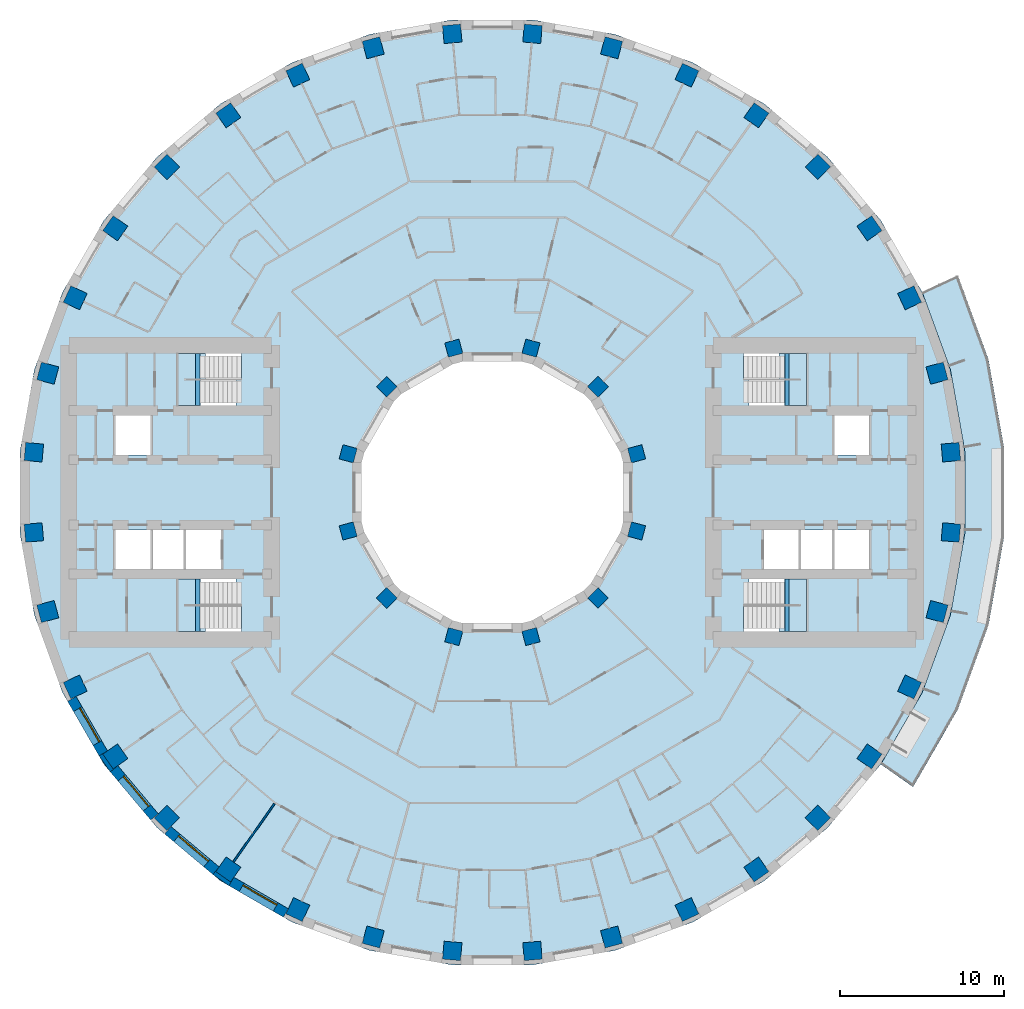
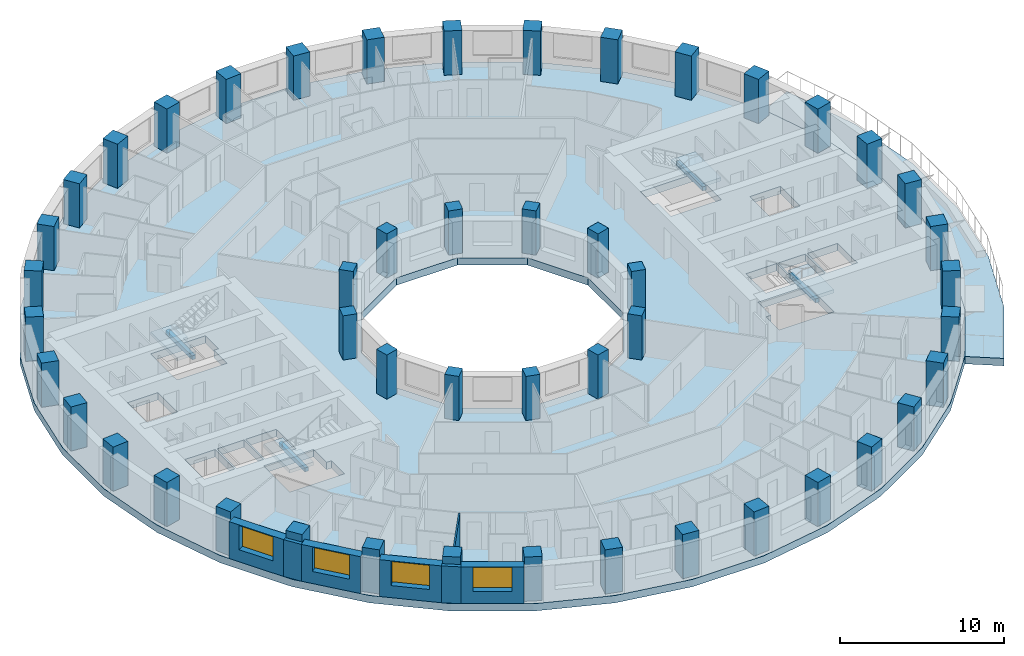
# One storey, part 1 of 14: 48 columns, 7 walls, 6 slabs, 4 beams, 4 windows, 4 openings, 4 elements without a shape of their own.
"""IFC4 building model written with IfcOpenShell, lengths in metres."""

from ifc_helpers import new_model, si_unit, direction, frame, frame_2d, origin, origin_2d, place, context, subcontext, project, spatial, polyline, rectangle, outline, extrude, material, layer, layer_set, material_profile, profile_set, type_object, element, fill, aggregate, save


model = new_model("IFC4")

# Units and contexts
model_context = context("Model", 3, precision=1e-05, world=origin(), true_north=direction((0.0, 1.0)))
body_context = subcontext(model_context, "Body", "Model", "MODEL_VIEW")
ifc_project = project(units=[si_unit("LENGTHUNIT", "METRE"), si_unit("AREAUNIT", "SQUARE_METRE"), si_unit("VOLUMEUNIT", "CUBIC_METRE"), si_unit("PLANEANGLEUNIT", "RADIAN"), si_unit("MASSUNIT", "GRAM", prefix="KILO")], contexts=[model_context])

# Site, building, storey
site_placement = place(None, origin())
site = spatial("IfcSite", under=ifc_project, at=site_placement, CompositionType="ELEMENT")
building_placement = place(site_placement, origin())
building = spatial("IfcBuilding", under=site, at=building_placement, Name="Saqina Gate Tower", CompositionType="ELEMENT")
storey_placement = place(building_placement, frame((0.0, 0.0, 46.10009765625)))
storey = spatial("IfcBuildingStorey", under=building, at=storey_placement, Name="L12", CompositionType="ELEMENT", Elevation=46.10009765625)

# Columns
ifc_material_1 = material(Name="Concrete C70/85", Category="concrete")
ifc_material_profile_1 = material_profile(ifc_material_1, rectangle(XDim=0.89990234375, YDim=0.89990234375, at=origin_2d()), Name="RC 900x900")
ifc_profile_set_1 = profile_set([ifc_material_profile_1], Name="Concrete C70/85")
column_type_1 = type_object("IfcColumnType", Name="STR-COL-IN-A", PredefinedType="COLUMN", material=ifc_profile_set_1)
for number, where, z_axis, x_axis, name in (
    (1, (8.821044921875, 2.363525390625, 0.0), (0.0, 0.0, 1.0), (0.965925826289, 0.258819045103, 0.0), "L12-ICL01"),
    (2, (6.45751953125, 6.45751953125, 0.0), (0.0, 0.0, 1.0), (0.707106781187, 0.707106781187, 0.0), "L12-ICL02"),
    (3, (2.363525390625, 8.821044921875, 0.0), (0.0, 0.0, 1.0), (0.258819045103, 0.965925826289, 0.0), "L12-ICL03"),
    (4, (-2.363525390625, 8.821044921875, 0.0), (0.0, 0.0, 1.0), (-0.258819045103, 0.965925826289, 0.0), "L12-ICL04"),
    (5, (-6.45751953125, 6.45751953125, 0.0), (0.0, 0.0, 1.0), (-0.707106781187, 0.707106781187, 0.0), "L12-ICL05"),
    (6, (-8.821044921875, 2.363525390625, 0.0), (0.0, 0.0, 1.0), (-0.965925826289, 0.258819045103, 0.0), "L12-ICL06"),
    (7, (-8.821044921875, -2.363525390625, 0.0), (0.0, 0.0, 1.0), (-0.965925826289, -0.258819045103, 0.0), "L12-ICL07"),
    (8, (-6.45751953125, -6.45751953125, 0.0), (0.0, 0.0, 1.0), (-0.707106781187, -0.707106781187, 0.0), "L12-ICL08"),
    (9, (-2.363525390625, -8.821044921875, 0.0), (0.0, 0.0, 1.0), (-0.258819045103, -0.965925826289, 0.0), "L12-ICL09"),
    (10, (2.363525390625, -8.821044921875, 0.0), (0.0, 0.0, 1.0), (0.258819045103, -0.965925826289, 0.0), "L12-ICL10"),
    (11, (6.45751953125, -6.45751953125, 0.0), (0.0, 0.0, 1.0), (0.707106781187, -0.707106781187, 0.0), "L12-ICL11"),
    (12, (8.821044921875, -2.363525390625, 0.0), (0.0, 0.0, 1.0), (0.965925826289, -0.258819045103, 0.0), "L12-ICL12"),
):
    element("IfcColumn", number, at=place(storey_placement, frame(where, z_axis=z_axis, x_axis=x_axis)), inside=storey, type_object=column_type_1, Name=name, PredefinedType="COLUMN", context=body_context, shape_type="SweptSolid", body=[
        extrude(rectangle(XDim=0.89990234375, YDim=0.89990234375, at=origin_2d()), origin(), (0.0, 0.0, 1.0), 3.2998046875),
    ])
ifc_material_2 = material(Name="Concrete C70/85", Category="concrete")
ifc_material_profile_2 = material_profile(ifc_material_2, rectangle(XDim=1.10009765625, YDim=1.10009765625, at=origin_2d()), Name="RC 1100x1100")
ifc_profile_set_2 = profile_set([ifc_material_profile_2], Name="Concrete C70/85")
column_type_2 = type_object("IfcColumnType", Name="STR-COL-OUT-A", PredefinedType="COLUMN", material=ifc_profile_set_2)
for number, where, z_axis, x_axis, name in (
    (13, (28.04296875, 2.453369140625, 0.0), (0.0, 0.0, 1.0), (0.996194698092, 0.087155742748, 0.0), "L12-COL01"),
    (14, (27.19091796875, 7.28564453125, 0.0), (0.0, 0.0, 1.0), (0.965925826289, 0.258819045103, 0.0), "L12-COL02"),
    (15, (25.512451171875, 11.896728515625, 0.0), (0.0, 0.0, 1.0), (0.906307787037, 0.422618261741, 0.0), "L12-COL03"),
    (16, (23.05908203125, 16.146240234375, 0.0), (0.0, 0.0, 1.0), (0.819152044289, 0.573576436351, 0.0), "L12-COL04"),
    (17, (19.905029296875, 19.905029296875, 0.0), (0.0, 0.0, 1.0), (0.707106781187, 0.707106781187, 0.0), "L12-COL05"),
    (18, (16.146240234375, 23.05908203125, 0.0), (0.0, 0.0, 1.0), (0.573576436351, 0.819152044289, 0.0), "L12-COL06"),
    (19, (11.896728515625, 25.512451171875, 0.0), (0.0, 0.0, 1.0), (0.422618261741, 0.906307787037, 0.0), "L12-COL07"),
    (20, (7.28564453125, 27.19091796875, 0.0), (0.0, 0.0, 1.0), (0.258819045103, 0.965925826289, 0.0), "L12-COL08"),
    (21, (2.453369140625, 28.04296875, 0.0), (0.0, 0.0, 1.0), (0.087155742748, 0.996194698092, 0.0), "L12-COL09"),
    (22, (-2.453369140625, 28.04296875, 0.0), (0.0, 0.0, 1.0), (-0.087155742748, 0.996194698092, 0.0), "L12-COL10"),
    (23, (-7.28564453125, 27.19091796875, 0.0), (0.0, 0.0, 1.0), (-0.258819045103, 0.965925826289, 0.0), "L12-COL11"),
    (24, (-11.896728515625, 25.512451171875, 0.0), (0.0, 0.0, 1.0), (-0.422618261741, 0.906307787037, 0.0), "L12-COL12"),
    (25, (-16.146240234375, 23.05908203125, 0.0), (0.0, 0.0, 1.0), (-0.573576436351, 0.819152044289, 0.0), "L12-COL13"),
    (26, (-19.905029296875, 19.905029296875, 0.0), (0.0, 0.0, 1.0), (-0.707106781187, 0.707106781187, 0.0), "L12-COL14"),
    (27, (-23.05908203125, 16.146240234375, 0.0), (0.0, 0.0, 1.0), (-0.819152044289, 0.573576436351, 0.0), "L12-COL15"),
    (28, (-25.512451171875, 11.896728515625, 0.0), (0.0, 0.0, 1.0), (-0.906307787037, 0.422618261741, 0.0), "L12-COL16"),
    (29, (-27.19091796875, 7.28564453125, 0.0), (0.0, 0.0, 1.0), (-0.965925826289, 0.258819045103, 0.0), "L12-COL17"),
    (30, (-28.04296875, 2.453369140625, 0.0), (0.0, 0.0, 1.0), (-0.996194698092, 0.087155742748, 0.0), "L12-COL18"),
    (31, (-28.04296875, -2.453369140625, 0.0), (0.0, 0.0, 1.0), (-0.996194698092, -0.087155742748, 0.0), "L12-COL19"),
    (32, (-27.19091796875, -7.28564453125, 0.0), (0.0, 0.0, 1.0), (-0.965925826289, -0.258819045103, 0.0), "L12-COL20"),
    (33, (-25.512451171875, -11.896728515625, 0.0), (0.0, 0.0, 1.0), (-0.906307787037, -0.422618261741, 0.0), "L12-COL21"),
    (34, (-23.05908203125, -16.146240234375, 0.0), (0.0, 0.0, 1.0), (-0.819152044289, -0.573576436351, 0.0), "L12-COL22"),
    (35, (-19.905029296875, -19.905029296875, 0.0), (0.0, 0.0, 1.0), (-0.707106781187, -0.707106781187, 0.0), "L12-COL23"),
    (36, (-16.146240234375, -23.05908203125, 0.0), (0.0, 0.0, 1.0), (-0.573576436351, -0.819152044289, 0.0), "L12-COL24"),
    (37, (-11.896728515625, -25.512451171875, 0.0), (0.0, 0.0, 1.0), (-0.422618261741, -0.906307787037, 0.0), "L12-COL25"),
    (38, (-7.28564453125, -27.19091796875, 0.0), (0.0, 0.0, 1.0), (-0.258819045103, -0.965925826289, 0.0), "L12-COL26"),
    (39, (-2.453369140625, -28.04296875, 0.0), (0.0, 0.0, 1.0), (-0.087155742748, -0.996194698092, 0.0), "L12-COL27"),
    (40, (2.453369140625, -28.04296875, 0.0), (0.0, 0.0, 1.0), (0.087155742748, -0.996194698092, 0.0), "L12-COL28"),
    (41, (7.28564453125, -27.19091796875, 0.0), (0.0, 0.0, 1.0), (0.258819045103, -0.965925826289, 0.0), "L12-COL29"),
    (42, (11.896728515625, -25.512451171875, 0.0), (0.0, 0.0, 1.0), (0.422618261741, -0.906307787037, 0.0), "L12-COL30"),
    (43, (16.146240234375, -23.05908203125, 0.0), (0.0, 0.0, 1.0), (0.573576436351, -0.819152044289, 0.0), "L12-COL31"),
    (44, (19.905029296875, -19.905029296875, 0.0), (0.0, 0.0, 1.0), (0.707106781187, -0.707106781187, 0.0), "L12-COL32"),
    (45, (23.05908203125, -16.146240234375, 0.0), (0.0, 0.0, 1.0), (0.819152044289, -0.573576436351, 0.0), "L12-COL33"),
    (46, (25.512451171875, -11.896728515625, 0.0), (0.0, 0.0, 1.0), (0.906307787037, -0.422618261741, 0.0), "L12-COL34"),
    (47, (27.19091796875, -7.28564453125, 0.0), (0.0, 0.0, 1.0), (0.965925826289, -0.258819045103, 0.0), "L12-COL35"),
    (48, (28.04296875, -2.453369140625, 0.0), (0.0, 0.0, 1.0), (0.996194698092, -0.087155742748, 0.0), "L12-COL36"),
):
    element("IfcColumn", number, at=place(storey_placement, frame(where, z_axis=z_axis, x_axis=x_axis)), inside=storey, type_object=column_type_2, Name=name, PredefinedType="COLUMN", context=body_context, shape_type="SweptSolid", body=[
        extrude(rectangle(XDim=1.10009765625, YDim=1.10009765625, at=origin_2d()), origin(), (0.0, 0.0, 1.0), 3.2998046875),
    ])

# Beams
ifc_material_3 = material(Name="Concrete C40/50", Category="concrete")
ifc_material_profile_3 = material_profile(ifc_material_3, rectangle(XDim=0.25, YDim=0.300048828125, at=origin_2d()), Name="STAIR LANDING BEAM")
ifc_profile_set_3 = profile_set([ifc_material_profile_3], Name="Concrete C40/50")
beam_type = type_object("IfcBeamType", Name="STAIR LANDING BEAM", PredefinedType="BEAM", material=ifc_profile_set_3)
for number, where, z_axis, x_axis, name in (
    (49, (18.02001953125, 5.300048828125, 1.25), (0.0, 1.0, 0.0), (-1.0, 0.0, 0.0), "EXIT STAIR 1 LANDING BEAM"),
    (50, (18.02001953125, -8.5, 1.25), (0.0, 1.0, 0.0), (-1.0, 0.0, 0.0), "EXIT STAIR 2 LANDING BEAM"),
    (51, (-18.02001953125, 5.300048828125, 1.25), (0.0, 1.0, 0.0), (-1.0, 0.0, 0.0), "EXIT STAIR 3 LANDING BEAM"),
    (52, (-18.02001953125, -8.5, 1.25), (0.0, 1.0, 0.0), (-1.0, 0.0, 0.0), "EXIT STAIR 4 LANDING BEAM"),
):
    element("IfcBeam", number, at=place(storey_placement, frame(where, z_axis=z_axis, x_axis=x_axis)), inside=storey, type_object=beam_type, Name=name, PredefinedType="BEAM", context=body_context, shape_type="SweptSolid", body=[
        extrude(rectangle(XDim=0.25, YDim=0.300048828125, at=origin_2d()), origin(), (0.0, 0.0, 1.0), 3.199951171875),
    ])

# Stair, slab
ifc_material_4 = material(Name="Concrete C40/50", Category="concrete")
stair_type = type_object("IfcStairType", Name="EXIT STAIR", PredefinedType="HALF_TURN_STAIR", material=ifc_material_4)
stair_1_placement = place(storey_placement, origin())
stair_1 = element("IfcStair", 53, at=stair_1_placement, inside=storey, type_object=stair_type, Name="EXIT STAIR 1", PredefinedType="HALF_TURN_STAIR")
ifc_material_5 = material(Name="Concrete C40/50", Category="concrete")
ifc_layer_1 = layer(ifc_material_5, 0.25)
ifc_layer_set_1 = layer_set([ifc_layer_1], Name="Concrete C40/50")
slab_type_1 = type_object("IfcSlabType", Name="EXIT STAIR LANDING", PredefinedType="LANDING", material=ifc_layer_set_1)
slab_1_placement = place(storey_placement, frame((0.0, 0.0, 1.39990234375)))
slab_1 = element("IfcSlab", 54, at=slab_1_placement, type_object=slab_type_1, Name="EXIT STAIR 1 LANDING 1", PredefinedType="LANDING", context=body_context, shape_type="SweptSolid", body=[
    extrude(outline(polyline([(19.219970703125, 8.5), (19.219970703125, 5.300048828125), (17.864990234375, 5.300048828125), (17.864990234375, 6.89990234375), (17.534423828125, 6.89990234375), (17.534423828125, 8.5), (17.864990234375, 8.5), (17.8701171875, 8.5), (19.219970703125, 8.5)])), origin(), (0.0, 0.0, 1.0), 0.25),
])
aggregate(stair_1, [slab_1])

stair_2_placement = place(storey_placement, origin())
stair_2 = element("IfcStair", 55, at=stair_2_placement, inside=storey, type_object=stair_type, Name="EXIT STAIR 2", PredefinedType="HALF_TURN_STAIR")
slab_2_placement = place(storey_placement, frame((0.0, 0.0, 1.39990234375)))
slab_2 = element("IfcSlab", 56, at=slab_2_placement, type_object=slab_type_1, Name="EXIT STAIR 2 LANDING 1", PredefinedType="LANDING", context=body_context, shape_type="SweptSolid", body=[
    extrude(outline(polyline([(17.534423828125, -8.5), (17.534423828125, -6.89990234375), (17.864990234375, -6.89990234375), (17.864990234375, -5.300048828125), (19.219970703125, -5.300048828125), (19.219970703125, -8.5), (17.8701171875, -8.5), (17.864990234375, -8.5), (17.534423828125, -8.5)])), origin(), (0.0, 0.0, 1.0), 0.25),
])
aggregate(stair_2, [slab_2])

stair_3_placement = place(storey_placement, origin())
stair_3 = element("IfcStair", 57, at=stair_3_placement, inside=storey, type_object=stair_type, Name="EXIT STAIR 3", PredefinedType="HALF_TURN_STAIR")
slab_3_placement = place(storey_placement, frame((0.0, 0.0, 1.39990234375)))
slab_3 = element("IfcSlab", 58, at=slab_3_placement, type_object=slab_type_1, Name="EXIT STAIR 3 LANDING 1", PredefinedType="LANDING", context=body_context, shape_type="SweptSolid", body=[
    extrude(outline(polyline([(-17.864990234375, 5.300048828125), (-19.219970703125, 5.300048828125), (-19.219970703125, 8.5), (-17.8701171875, 8.5), (-17.864990234375, 8.5), (-17.534423828125, 8.5), (-17.534423828125, 6.89990234375), (-17.864990234375, 6.89990234375), (-17.864990234375, 5.300048828125)])), origin(), (0.0, 0.0, 1.0), 0.25),
])
aggregate(stair_3, [slab_3])

stair_4_placement = place(storey_placement, origin())
stair_4 = element("IfcStair", 59, at=stair_4_placement, inside=storey, type_object=stair_type, Name="EXIT STAIR 4", PredefinedType="HALF_TURN_STAIR")
slab_4_placement = place(storey_placement, frame((0.0, 0.0, 1.39990234375)))
slab_4 = element("IfcSlab", 60, at=slab_4_placement, type_object=slab_type_1, Name="EXIT STAIR 4 LANDING 1", PredefinedType="LANDING", context=body_context, shape_type="SweptSolid", body=[
    extrude(outline(polyline([(-17.534423828125, -6.89990234375), (-17.534423828125, -8.5), (-17.864990234375, -8.5), (-17.8701171875, -8.5), (-19.219970703125, -8.5), (-19.219970703125, -5.300048828125), (-17.864990234375, -5.300048828125), (-17.864990234375, -6.89990234375), (-17.534423828125, -6.89990234375)])), origin(), (0.0, 0.0, 1.0), 0.25),
])
aggregate(stair_4, [slab_4])

# Slabs
ifc_material_6 = material(Name="Concrete C40/50", Category="concrete")
ifc_layer_2 = layer(ifc_material_6, 0.550048828125)
ifc_layer_set_2 = layer_set([ifc_layer_2], Name="Concrete C40/50")
slab_type_2 = type_object("IfcSlabType", Name="STR-POST-TENSIONED FLAT PLATE FLOOR-550", PredefinedType="FLOOR", material=ifc_layer_set_2)
slab_5_placement = place(storey_placement, frame((0.0, 0.0, -0.550048828125)))
element("IfcSlab", 61, at=slab_5_placement, inside=storey, type_object=slab_type_2, Name="L12-SLB01", PredefinedType="FLOOR", context=body_context, shape_type="SweptSolid", body=[
    extrude(outline(polyline([(28.011962890625, -7.505859375), (28.8896484375, -2.527587890625), (28.8896484375, 2.527587890625), (28.011962890625, 7.505859375), (26.282958984375, 12.255859375), (23.75537109375, 16.6337890625), (20.506103515625, 20.506103515625), (16.6337890625, 23.75537109375), (12.255859375, 26.282958984375), (7.505859375, 28.011962890625), (2.527587890625, 28.8896484375), (-2.527587890625, 28.8896484375), (-7.505859375, 28.011962890625), (-12.255859375, 26.282958984375), (-16.6337890625, 23.75537109375), (-20.506103515625, 20.506103515625), (-23.75537109375, 16.6337890625), (-26.282958984375, 12.255859375), (-28.011962890625, 7.505859375), (-28.8896484375, 2.527587890625), (-28.8896484375, -2.527587890625), (-28.011962890625, -7.505859375), (-26.282958984375, -12.255859375), (-23.75537109375, -16.6337890625), (-20.506103515625, -20.506103515625), (-16.6337890625, -23.75537109375), (-12.255859375, -26.282958984375), (-7.505859375, -28.011962890625), (-2.527587890625, -28.8896484375), (2.527587890625, -28.8896484375), (7.505859375, -28.011962890625), (12.255859375, -26.282958984375), (16.6337890625, -23.75537109375), (20.506103515625, -20.506103515625), (23.75537109375, -16.6337890625), (26.282958984375, -12.255859375), (28.011962890625, -7.505859375)]), holes=[polyline([(2.1435546875, 8.0), (5.8564453125, 5.8564453125), (8.0, 2.1435546875), (8.0, -2.1435546875), (5.8564453125, -5.8564453125), (2.1435546875, -8.0), (-2.1435546875, -8.0), (-5.8564453125, -5.8564453125), (-8.0, -2.1435546875), (-8.0, 2.1435546875), (-5.8564453125, 5.8564453125), (-2.1435546875, 8.0), (2.1435546875, 8.0)]), polyline([(-19.219970703125, -8.5), (-19.219970703125, -6.89990234375), (-19.219970703125, -5.300048828125), (-15.685546875, -5.300048828125), (-15.685546875, -6.89990234375), (-15.35498046875, -6.89990234375), (-15.35498046875, -8.5), (-19.219970703125, -8.5)]), polyline([(-20.89990234375, -2.300048828125), (-20.89990234375, -4.699951171875), (-23.06005859375, -4.699951171875), (-23.06005859375, -2.300048828125), (-20.89990234375, -2.300048828125)]), polyline([(-18.8701171875, -2.300048828125), (-18.8701171875, -4.699951171875), (-20.780029296875, -4.699951171875), (-20.780029296875, -2.300048828125), (-18.8701171875, -2.300048828125)]), polyline([(-16.590087890625, -2.300048828125), (-16.590087890625, -4.699951171875), (-18.75, -4.699951171875), (-18.75, -2.300048828125), (-16.590087890625, -2.300048828125)]), polyline([(-20.89990234375, 4.699951171875), (-20.89990234375, 2.300048828125), (-23.06005859375, 2.300048828125), (-23.06005859375, 4.699951171875), (-20.89990234375, 4.699951171875)]), polyline([(-19.219970703125, 6.89990234375), (-19.219970703125, 8.5), (-15.35498046875, 8.5), (-15.35498046875, 6.89990234375), (-15.685546875, 6.89990234375), (-15.685546875, 5.300048828125), (-19.219970703125, 5.300048828125), (-19.219970703125, 6.89990234375)]), polyline([(15.35498046875, -6.89990234375), (15.685546875, -6.89990234375), (15.685546875, -5.300048828125), (19.219970703125, -5.300048828125), (19.219970703125, -6.89990234375), (19.219970703125, -8.5), (15.35498046875, -8.5), (15.35498046875, -6.89990234375)]), polyline([(18.75, -2.300048828125), (18.75, -4.699951171875), (16.590087890625, -4.699951171875), (16.590087890625, -2.300048828125), (18.75, -2.300048828125)]), polyline([(20.780029296875, -2.300048828125), (20.780029296875, -4.699951171875), (18.8701171875, -4.699951171875), (18.8701171875, -2.300048828125), (20.780029296875, -2.300048828125)]), polyline([(23.06005859375, -2.300048828125), (23.06005859375, -4.699951171875), (20.89990234375, -4.699951171875), (20.89990234375, -2.300048828125), (23.06005859375, -2.300048828125)]), polyline([(23.06005859375, 4.699951171875), (23.06005859375, 2.300048828125), (20.89990234375, 2.300048828125), (20.89990234375, 4.699951171875), (23.06005859375, 4.699951171875)]), polyline([(15.685546875, 6.89990234375), (15.35498046875, 6.89990234375), (15.35498046875, 8.5), (19.219970703125, 8.5), (19.219970703125, 6.89990234375), (19.219970703125, 5.300048828125), (15.685546875, 5.300048828125), (15.685546875, 6.89990234375)])]), origin(), (0.0, 0.0, 1.0), 0.550048828125),
])
ifc_material_7 = material(Name="Concrete C40/50", Category="concrete")
ifc_layer_3 = layer(ifc_material_7, 0.550048828125)
ifc_layer_set_3 = layer_set([ifc_layer_3], Name="Concrete C40/50")
slab_type_3 = type_object("IfcSlabType", Name="STR-POST-TENSIONED FLAT PLATE TERRACE-550", PredefinedType="FLOOR", material=ifc_layer_set_3)
slab_6_placement = place(storey_placement, frame((0.0, 0.0, -0.550048828125)))
element("IfcSlab", 62, at=slab_6_placement, inside=storey, type_object=slab_type_3, Name="L12-TRS01", PredefinedType="FLOOR", context=body_context, shape_type="SweptSolid", body=[
    extrude(outline(polyline([(23.75537109375, -16.6337890625), (26.282958984375, -12.255859375), (28.011962890625, -7.505859375), (28.8896484375, -2.527587890625), (28.8896484375, 2.527587890625), (28.011962890625, 7.505859375), (26.282958984375, 12.255859375), (28.46630859375, 13.274169921875), (30.3388671875, 8.12939453125), (31.28955078125, 2.737548828125), (31.28955078125, -2.737548828125), (30.3388671875, -8.12939453125), (28.46630859375, -13.274169921875), (25.72900390625, -18.015625), (23.75537109375, -16.6337890625)])), origin(), (0.0, 0.0, 1.0), 0.550048828125),
])

# Walls
ifc_material_8 = material(Name="Brick masonry (red)", Category="masonry")
wall_type_1 = type_object("IfcWallType", Name="BRICK PIER COPING RED", PredefinedType="SOLIDWALL", material=ifc_material_8)
wall_1_placement = place(storey_placement, origin())
element("IfcWall", 63, at=wall_1_placement, inside=storey, type_object=wall_type_1, Name="Pier cap L12 column 22", PredefinedType="SOLIDWALL", context=body_context, shape_type="SweptSolid", body=[
    extrude(outline(polyline([(-24.0576171875, -16.110107421875), (-23.36669921875, -17.096923828125), (-22.9072265625, -16.711181640625), (-23.194091796875, -16.912109375), (-23.8251953125, -16.010986328125), (-23.5380859375, -15.81005859375), (-24.0576171875, -16.110107421875)])), origin(), (0.0, 0.0, 1.0), 2.75),
])
wall_2_placement = place(storey_placement, origin())
element("IfcWall", 64, at=wall_2_placement, inside=storey, type_object=wall_type_1, Name="Pier cap L12 column 24", PredefinedType="SOLIDWALL", context=body_context, shape_type="SweptSolid", body=[
    extrude(outline(polyline([(-17.096923828125, -23.36669921875), (-16.110107421875, -24.0576171875), (-15.81005859375, -23.5380859375), (-16.010986328125, -23.8251953125), (-16.912109375, -23.194091796875), (-16.711181640625, -22.9072265625), (-17.096923828125, -23.36669921875)])), origin(), (0.0, 0.0, 1.0), 2.75),
])

# Wall, opening, window
ifc_material_9 = material(Name="Brick masonry (red)", Category="masonry")
ifc_layer_4 = layer(ifc_material_9, 0.60009765625)
ifc_layer_set_4 = layer_set([ifc_layer_4], Name="FW-BRICK-RED")
wall_type_2 = type_object("IfcWallType", Name="FW-BRICK-RED", PredefinedType="SOLIDWALL", material=ifc_layer_set_4)
wall_3_placement = place(storey_placement, frame((-25.720703125, -12.629638671875, 0.0), z_axis=(0.0, 0.0, 1.0), x_axis=(0.499989888488, -0.86603124159, 0.0)))
wall_3 = element("IfcWall", 65, at=wall_3_placement, inside=storey, type_object=wall_type_2, Name="Facade wall L12 facet 21", PredefinedType="SOLIDWALL", context=body_context, shape_type="SweptSolid", body=[
    extrude(rectangle(XDim=3.845703125, YDim=0.60009765625, at=frame_2d((1.9228515625, 0.0))), origin(), (0.0, 0.0, 1.0), 2.75),
])
opening_1_placement = place(wall_3_placement, frame((0.722900390625, 0.0, 0.89990234375)))
opening_1 = element("IfcOpeningElement", 66, at=opening_1_placement, cuts=wall_3, Name="Opening G03-W14", PredefinedType="OPENING", context=body_context, shape_type="SweptSolid", body=[
    extrude(rectangle(XDim=2.39990234375, YDim=1.800048828125, at=frame_2d((1.199951171875, 0.89990234375))), frame((0.0, 0.31201171875, 0.0), z_axis=(0.0, -1.0, 0.0), x_axis=(1.0, 0.0, 0.0)), (0.0, 0.0, 1.0), 0.6240234375),
])
ifc_material_10 = material(Name="Aluminium glazing", Category="aluminium")
window_type = type_object("IfcWindowType", Name="WN-A", PartitioningType="SINGLE_PANEL", PredefinedType="WINDOW", material=ifc_material_10)
window_1_placement = place(opening_1_placement, origin())
window_1 = element("IfcWindow", 67, at=window_1_placement, inside=storey, type_object=window_type, Name="Window L12 facet 21", OverallHeight=1.800048828125, OverallWidth=2.39990234375, PartitioningType="SINGLE_PANEL", PredefinedType="WINDOW", context=body_context, shape_type="SweptSolid", body=[
    extrude(rectangle(XDim=2.39990234375, YDim=1.800048828125, at=frame_2d((1.199951171875, 0.89990234375))), frame((0.0, 0.179931640625, 0.0), z_axis=(0.0, -1.0, 0.0), x_axis=(1.0, 0.0, 0.0)), (0.0, 0.0, 1.0), 0.06005859375),
])
fill(opening_1, window_1)

wall_4_placement = place(storey_placement, frame((-23.136962890625, -16.904052734375, 0.0), z_axis=(0.0, 0.0, 1.0), x_axis=(0.642809392687, -0.766026164483, 0.0)))
wall_4 = element("IfcWall", 68, at=wall_4_placement, inside=storey, type_object=wall_type_2, Name="Facade wall L12 facet 22", PredefinedType="SOLIDWALL", context=body_context, shape_type="SweptSolid", body=[
    extrude(rectangle(XDim=3.845947265625, YDim=0.60009765625, at=frame_2d((1.9228515625, 0.0))), origin(), (0.0, 0.0, 1.0), 2.75),
])
opening_2_placement = place(wall_4_placement, frame((0.722900390625, 0.0, 0.89990234375)))
opening_2 = element("IfcOpeningElement", 69, at=opening_2_placement, cuts=wall_4, Name="Opening G03-W15", PredefinedType="OPENING", context=body_context, shape_type="SweptSolid", body=[
    extrude(rectangle(XDim=2.39990234375, YDim=1.800048828125, at=frame_2d((1.199951171875, 0.89990234375))), frame((0.0, 0.31201171875, 0.0), z_axis=(0.0, -1.0, 0.0), x_axis=(1.0, 0.0, 0.0)), (0.0, 0.0, 1.0), 0.6240234375),
])
window_2_placement = place(opening_2_placement, origin())
window_2 = element("IfcWindow", 70, at=window_2_placement, inside=storey, type_object=window_type, Name="Window L12 facet 22", OverallHeight=1.800048828125, OverallWidth=2.39990234375, PartitioningType="SINGLE_PANEL", PredefinedType="WINDOW", context=body_context, shape_type="SweptSolid", body=[
    extrude(rectangle(XDim=2.39990234375, YDim=1.800048828125, at=frame_2d((1.199951171875, 0.89990234375))), frame((0.0, 0.179931640625, 0.0), z_axis=(0.0, -1.0, 0.0), x_axis=(1.0, 0.0, 0.0)), (0.0, 0.0, 1.0), 0.06005859375),
])
fill(opening_2, window_2)

wall_5_placement = place(storey_placement, frame((-19.85009765625, -20.664794921875, 0.0), z_axis=(0.0, 0.0, 1.0), x_axis=(0.766026164483, -0.642809392687, 0.0)))
wall_5 = element("IfcWall", 71, at=wall_5_placement, inside=storey, type_object=wall_type_2, Name="Facade wall L12 facet 23", PredefinedType="SOLIDWALL", context=body_context, shape_type="SweptSolid", body=[
    extrude(rectangle(XDim=3.845947265625, YDim=0.60009765625, at=frame_2d((1.9228515625, 0.0))), origin(), (0.0, 0.0, 1.0), 2.75),
])
opening_3_placement = place(wall_5_placement, frame((0.722900390625, 0.0, 0.89990234375)))
opening_3 = element("IfcOpeningElement", 72, at=opening_3_placement, cuts=wall_5, Name="Opening G03-W16", PredefinedType="OPENING", context=body_context, shape_type="SweptSolid", body=[
    extrude(rectangle(XDim=2.39990234375, YDim=1.800048828125, at=frame_2d((1.199951171875, 0.89990234375))), frame((0.0, 0.31201171875, 0.0), z_axis=(0.0, -1.0, 0.0), x_axis=(1.0, 0.0, 0.0)), (0.0, 0.0, 1.0), 0.6240234375),
])
window_3_placement = place(opening_3_placement, origin())
window_3 = element("IfcWindow", 73, at=window_3_placement, inside=storey, type_object=window_type, Name="Window L12 facet 23", OverallHeight=1.800048828125, OverallWidth=2.39990234375, PartitioningType="SINGLE_PANEL", PredefinedType="WINDOW", context=body_context, shape_type="SweptSolid", body=[
    extrude(rectangle(XDim=2.39990234375, YDim=1.800048828125, at=frame_2d((1.199951171875, 0.89990234375))), frame((0.0, 0.179931640625, 0.0), z_axis=(0.0, -1.0, 0.0), x_axis=(1.0, 0.0, 0.0)), (0.0, 0.0, 1.0), 0.06005859375),
])
fill(opening_3, window_3)

wall_6_placement = place(storey_placement, frame((-15.960205078125, -23.7978515625, 0.0), z_axis=(0.0, 0.0, 1.0), x_axis=(0.86603124159, -0.499989888488, 0.0)))
wall_6 = element("IfcWall", 74, at=wall_6_placement, inside=storey, type_object=wall_type_2, Name="Facade wall L12 facet 24", PredefinedType="SOLIDWALL", context=body_context, shape_type="SweptSolid", body=[
    extrude(rectangle(XDim=3.845703125, YDim=0.60009765625, at=frame_2d((1.9228515625, 0.0))), origin(), (0.0, 0.0, 1.0), 2.75),
])
opening_4_placement = place(wall_6_placement, frame((0.722900390625, 0.0, 0.89990234375)))
opening_4 = element("IfcOpeningElement", 75, at=opening_4_placement, cuts=wall_6, Name="Opening G03-W17", PredefinedType="OPENING", context=body_context, shape_type="SweptSolid", body=[
    extrude(rectangle(XDim=2.39990234375, YDim=1.800048828125, at=frame_2d((1.199951171875, 0.89990234375))), frame((0.0, 0.31201171875, 0.0), z_axis=(0.0, -1.0, 0.0), x_axis=(1.0, 0.0, 0.0)), (0.0, 0.0, 1.0), 0.6240234375),
])
window_4_placement = place(opening_4_placement, origin())
window_4 = element("IfcWindow", 76, at=window_4_placement, inside=storey, type_object=window_type, Name="Window L12 facet 24", OverallHeight=1.800048828125, OverallWidth=2.39990234375, PartitioningType="SINGLE_PANEL", PredefinedType="WINDOW", context=body_context, shape_type="SweptSolid", body=[
    extrude(rectangle(XDim=2.39990234375, YDim=1.800048828125, at=frame_2d((1.199951171875, 0.89990234375))), frame((0.0, 0.179931640625, 0.0), z_axis=(0.0, -1.0, 0.0), x_axis=(1.0, 0.0, 0.0)), (0.0, 0.0, 1.0), 0.06005859375),
])
fill(opening_4, window_4)

# Wall
ifc_material_11 = material(Name="Gypsum board on steel studs, 100 mm", Category="steel")
ifc_layer_5 = layer(ifc_material_11, 0.10009765625)
ifc_layer_set_5 = layer_set([ifc_layer_5], Name="PARTITION 100")
wall_type_3 = type_object("IfcWallType", Name="PARTITION 100", PredefinedType="PARTITIONING", material=ifc_layer_set_5)
wall_7_placement = place(storey_placement, frame((-15.829345703125, -22.597412109375, 0.0), z_axis=(0.0, 0.0, 1.0), x_axis=(0.574588030597, 0.818442786696, 0.0)))
element("IfcWall", 77, at=wall_7_placement, inside=storey, type_object=wall_type_3, Name="PARTITION PW3-106", PredefinedType="PARTITIONING", context=body_context, shape_type="SweptSolid", body=[
    extrude(rectangle(XDim=4.35009765625, YDim=0.10009765625, at=frame_2d((2.175048828125, 0.0))), origin(), (0.0, 0.0, 1.0), 2.75),
])

save(model, "model.ifc")
